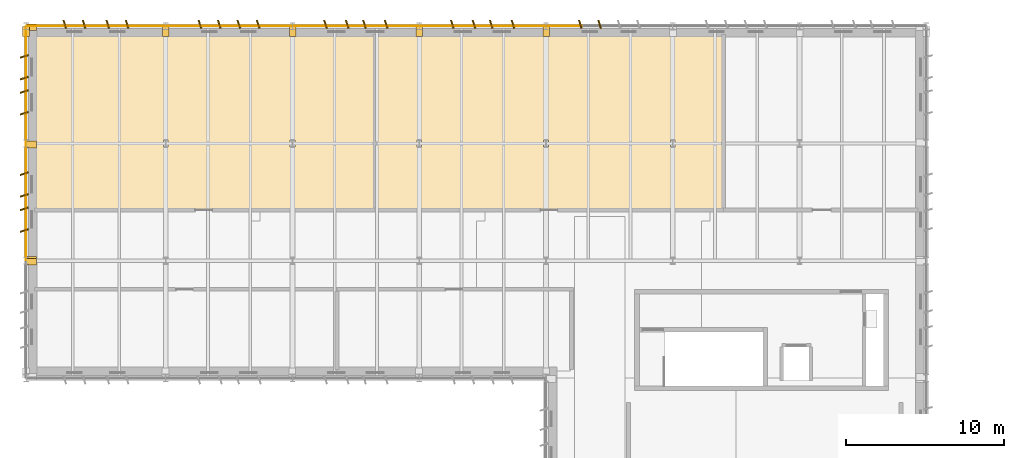
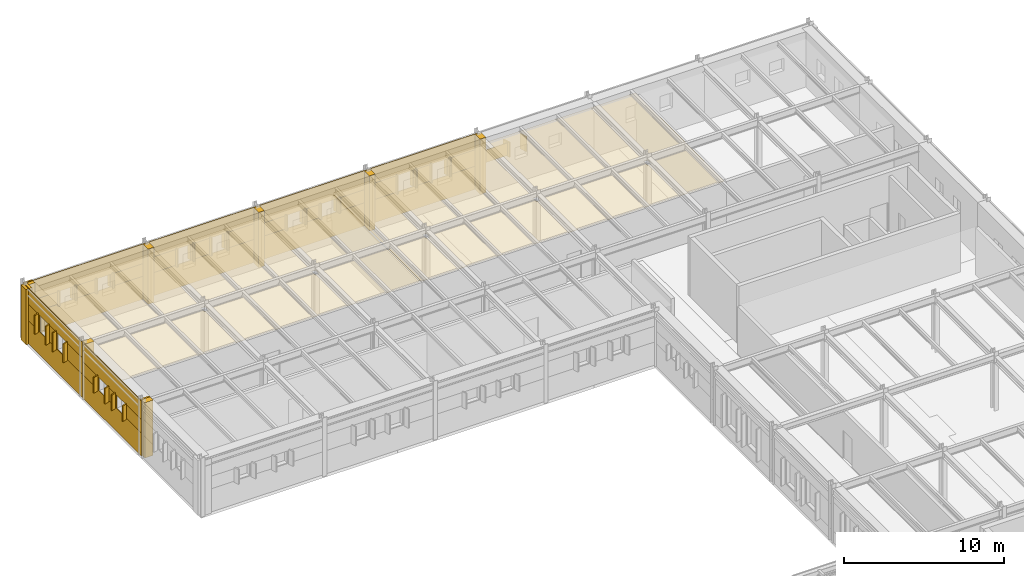
# One storey, part 64 of 75: 68 coverings.
"""IFC4 building model written with IfcOpenShell, lengths in metres."""

from ifc_helpers import new_model, si_unit, direction, frame, frame_2d, origin, origin_2d, place, context, subcontext, project, spatial, polyline, rectangle, outline, extrude, material, layer, layer_set, type_object, element, save


model = new_model("IFC4")

# Units and contexts
model_context = context("Model", 3, precision=1e-05, world=origin(), true_north=direction((0.0, 1.0)))
body_context = subcontext(model_context, "Body", "Model", "MODEL_VIEW")
ifc_project = project(units=[si_unit("LENGTHUNIT", "METRE"), si_unit("AREAUNIT", "SQUARE_METRE"), si_unit("VOLUMEUNIT", "CUBIC_METRE"), si_unit("PLANEANGLEUNIT", "RADIAN"), si_unit("MASSUNIT", "GRAM", prefix="KILO")], contexts=[model_context])

# Site, building, storey
site_placement = place(None, origin())
site = spatial("IfcSite", under=ifc_project, at=site_placement, CompositionType="ELEMENT")
building_placement = place(site_placement, origin())
building = spatial("IfcBuilding", under=site, at=building_placement, Name="Valkorina Park Police Headquarters", CompositionType="ELEMENT")
storey_placement = place(building_placement, frame((0.0, 0.0, 5.39990234375)))
storey = spatial("IfcBuildingStorey", under=building, at=storey_placement, Name="L02", CompositionType="ELEMENT", Elevation=5.39990234375)

# Coverings
ifc_material_1 = material(Name="Acoustic mineral board")
ifc_layer_1 = layer(ifc_material_1, 0.02490234375)
ifc_layer_set_1 = layer_set([ifc_layer_1], Name="Acoustic mineral board")
covering_type_1 = type_object("IfcCoveringType", Name="COV-CEILING-ACOUST", PredefinedType="CEILING", material=ifc_layer_set_1)
covering_1_placement = place(storey_placement, frame((0.0, 0.0, 3.64501953125)))
element("IfcCovering", 1, at=covering_1_placement, inside=storey, type_object=covering_type_1, Name="Detention Cell Block A (Adult Male) Acoustic Suspended Ceiling", PredefinedType="CEILING", context=body_context, shape_type="SweptSolid", body=[
    extrude(outline(polyline([(21.95849609375, 99.50439453125), (21.959716796875, 99.51220703125), (21.9599609375, 99.52001953125), (21.9599609375, 110.47998046875), (21.959716796875, 110.48779296875), (21.95849609375, 110.49560546875), (21.95654296875, 110.503173828125), (21.953857421875, 110.510498046875), (21.95068359375, 110.517578125), (21.946533203125, 110.5244140625), (21.94189453125, 110.53076171875), (21.9365234375, 110.53662109375), (21.930908203125, 110.541748046875), (21.92431640625, 110.54638671875), (21.917724609375, 110.550537109375), (21.91064453125, 110.553955078125), (21.9033203125, 110.556640625), (21.8955078125, 110.55859375), (21.8876953125, 110.5595703125), (21.8798828125, 110.56005859375), (0.52001953125, 110.56005859375), (0.51220703125, 110.5595703125), (0.50439453125, 110.55859375), (0.496826171875, 110.556640625), (0.489501953125, 110.553955078125), (0.482421875, 110.550537109375), (0.4755859375, 110.54638671875), (0.46923828125, 110.541748046875), (0.46337890625, 110.53662109375), (0.458251953125, 110.53076171875), (0.45361328125, 110.5244140625), (0.449462890625, 110.517578125), (0.446044921875, 110.510498046875), (0.443359375, 110.503173828125), (0.44140625, 110.49560546875), (0.4404296875, 110.48779296875), (0.43994140625, 110.47998046875), (0.43994140625, 99.52001953125), (0.4404296875, 99.51220703125), (0.44140625, 99.50439453125), (0.443359375, 99.496826171875), (0.446044921875, 99.489501953125), (0.449462890625, 99.482421875), (0.45361328125, 99.4755859375), (0.458251953125, 99.46923828125), (0.46337890625, 99.46337890625), (0.46923828125, 99.458251953125), (0.4755859375, 99.45361328125), (0.482421875, 99.449462890625), (0.489501953125, 99.446044921875), (0.496826171875, 99.443359375), (0.50439453125, 99.44140625), (0.51220703125, 99.4404296875), (0.52001953125, 99.43994140625), (21.8798828125, 99.43994140625), (21.8876953125, 99.4404296875), (21.8955078125, 99.44140625), (21.9033203125, 99.443359375), (21.91064453125, 99.446044921875), (21.917724609375, 99.449462890625), (21.92431640625, 99.45361328125), (21.930908203125, 99.458251953125), (21.9365234375, 99.46337890625), (21.94189453125, 99.46923828125), (21.946533203125, 99.4755859375), (21.95068359375, 99.482421875), (21.953857421875, 99.489501953125), (21.95654296875, 99.496826171875), (21.95849609375, 99.50439453125)]), holes=[polyline([(16.949951171875, 103.375), (16.64990234375, 103.375), (16.64990234375, 103.824951171875), (16.949951171875, 103.824951171875), (16.949951171875, 103.375)]), polyline([(8.949951171875, 103.375), (8.64990234375, 103.375), (8.64990234375, 103.824951171875), (8.949951171875, 103.824951171875), (8.949951171875, 103.375)])]), origin(), (0.0, 0.0, 1.0), 0.025146484375),
])
covering_2_placement = place(storey_placement, frame((0.0, 0.0, 3.64501953125)))
element("IfcCovering", 2, at=covering_2_placement, inside=storey, type_object=covering_type_1, Name="Detention Cell Block B (Adult Female) Acoustic Suspended Ceiling", PredefinedType="CEILING", context=body_context, shape_type="SweptSolid", body=[
    extrude(outline(polyline([(43.95849609375, 99.50439453125), (43.959716796875, 99.51220703125), (43.9599609375, 99.52001953125), (43.9599609375, 110.47998046875), (43.959716796875, 110.48779296875), (43.95849609375, 110.49560546875), (43.95654296875, 110.503173828125), (43.953857421875, 110.510498046875), (43.95068359375, 110.517578125), (43.946533203125, 110.5244140625), (43.94189453125, 110.53076171875), (43.9365234375, 110.53662109375), (43.930908203125, 110.541748046875), (43.92431640625, 110.54638671875), (43.917724609375, 110.550537109375), (43.91064453125, 110.553955078125), (43.9033203125, 110.556640625), (43.8955078125, 110.55859375), (43.8876953125, 110.5595703125), (43.8798828125, 110.56005859375), (22.1201171875, 110.56005859375), (22.1123046875, 110.5595703125), (22.1044921875, 110.55859375), (22.0966796875, 110.556640625), (22.08935546875, 110.553955078125), (22.082275390625, 110.550537109375), (22.07568359375, 110.54638671875), (22.069091796875, 110.541748046875), (22.0634765625, 110.53662109375), (22.05810546875, 110.53076171875), (22.053466796875, 110.5244140625), (22.04931640625, 110.517578125), (22.046142578125, 110.510498046875), (22.04345703125, 110.503173828125), (22.04150390625, 110.49560546875), (22.040283203125, 110.48779296875), (22.0400390625, 110.47998046875), (22.0400390625, 99.52001953125), (22.040283203125, 99.51220703125), (22.04150390625, 99.50439453125), (22.04345703125, 99.496826171875), (22.046142578125, 99.489501953125), (22.04931640625, 99.482421875), (22.053466796875, 99.4755859375), (22.05810546875, 99.46923828125), (22.0634765625, 99.46337890625), (22.069091796875, 99.458251953125), (22.07568359375, 99.45361328125), (22.082275390625, 99.449462890625), (22.08935546875, 99.446044921875), (22.0966796875, 99.443359375), (22.1044921875, 99.44140625), (22.1123046875, 99.4404296875), (22.1201171875, 99.43994140625), (43.8798828125, 99.43994140625), (43.8876953125, 99.4404296875), (43.8955078125, 99.44140625), (43.9033203125, 99.443359375), (43.91064453125, 99.446044921875), (43.917724609375, 99.449462890625), (43.92431640625, 99.45361328125), (43.930908203125, 99.458251953125), (43.9365234375, 99.46337890625), (43.94189453125, 99.46923828125), (43.946533203125, 99.4755859375), (43.95068359375, 99.482421875), (43.953857421875, 99.489501953125), (43.95654296875, 99.496826171875), (43.95849609375, 99.50439453125)]), holes=[polyline([(40.949951171875, 103.824951171875), (40.949951171875, 103.375), (40.64990234375, 103.375), (40.64990234375, 103.824951171875), (40.949951171875, 103.824951171875)]), polyline([(32.949951171875, 103.375), (32.64990234375, 103.375), (32.64990234375, 103.824951171875), (32.949951171875, 103.824951171875), (32.949951171875, 103.375)]), polyline([(24.949951171875, 103.375), (24.64990234375, 103.375), (24.64990234375, 103.824951171875), (24.949951171875, 103.824951171875), (24.949951171875, 103.375)])]), origin(), (0.0, 0.0, 1.0), 0.025146484375),
])
ifc_material_2 = material(Name="Precast concrete C40/50", Category="concrete")
ifc_layer_2 = layer(ifc_material_2, 0.044921875)
ifc_layer_set_2 = layer_set([ifc_layer_2], Name="Precast concrete C40/50")
covering_type_2 = type_object("IfcCoveringType", Name="COV-CLAD-DOLOMITE", PredefinedType="CLADDING", material=ifc_layer_set_2)
for number, where, z_axis, x_axis, name in (
    (3, (0.340087890625, 96.135009765625, 0.0), (0.0, 0.0, 1.0), (0.0, 1.0, 0.0), "L02 Exterior Joint Closure Pilaster B 1096"),
    (4, (0.340087890625, 96.264892578125, 0.0), (0.0, 0.0, 1.0), (0.0, 1.0, 0.0), "L02 Exterior Joint Closure Pilaster A 1106"),
    (5, (0.340087890625, 103.534912109375, 0.0), (0.0, 0.0, 1.0), (0.0, 1.0, 0.0), "L02 Exterior Joint Closure Pilaster B 1107"),
):
    element("IfcCovering", number, at=place(storey_placement, frame(where, z_axis=z_axis, x_axis=x_axis)), inside=storey, type_object=covering_type_2, Name=name, PredefinedType="CLADDING", context=body_context, shape_type="SweptSolid", body=[
        extrude(rectangle(XDim=0.419921875, YDim=0.612060546875, at=origin_2d()), origin(), (0.0, 0.0, 1.0), 4.219970703125),
    ])
for number, where, z_axis, x_axis, name in (
    (6, (-0.1201171875, 98.106201171875, 1.68017578125), (0.0, 0.0, 1.0), (-0.948323655206, -0.317304656405, 0.0), "Slanted 18.5-deg Precast Window Slot Fin 1108"),
    (7, (-0.1201171875, 99.476318359375, 1.68017578125), (0.0, 0.0, 1.0), (-0.948323655206, -0.317304656405, 0.0), "Slanted 18.5-deg Precast Window Slot Fin 1109"),
    (8, (-0.1201171875, 100.32373046875, 1.68017578125), (0.0, 0.0, 1.0), (-0.948323655206, -0.317304656405, 0.0), "Slanted 18.5-deg Precast Window Slot Fin 1110"),
    (9, (-0.1201171875, 101.69384765625, 1.68017578125), (0.0, 0.0, 1.0), (-0.948323655206, -0.317304656405, 0.0), "Slanted 18.5-deg Precast Window Slot Fin 1111"),
):
    element("IfcCovering", number, at=place(storey_placement, frame(where, z_axis=z_axis, x_axis=x_axis)), inside=storey, type_object=covering_type_2, Name=name, PredefinedType="CLADDING", context=body_context, shape_type="SweptSolid", body=[
        extrude(rectangle(XDim=0.5400390625, YDim=0.090087890625, at=origin_2d()), origin(), (0.0, 0.0, 1.0), 1.18994140625),
    ])
covering_3_placement = place(storey_placement, frame((-0.014892578125, 96.219970703125, 0.0), z_axis=(0.0, 0.0, 1.0), x_axis=(0.0, 1.0, 0.0)))
element("IfcCovering", 10, at=covering_3_placement, inside=storey, type_object=covering_type_2, Name="L02 Calm Concrete Base Sill Spandrel 1112", PredefinedType="CLADDING", context=body_context, shape_type="SweptSolid", body=[
    extrude(rectangle(XDim=7.360107421875, YDim=0.044921875, at=frame_2d((3.68017578125, 0.0))), origin(), (0.0, 0.0, 1.0), 1.77001953125),
])
covering_4_placement = place(storey_placement, frame((-0.014892578125, 96.219970703125, 2.780029296875), z_axis=(0.0, 0.0, 1.0), x_axis=(0.0, 1.0, 0.0)))
element("IfcCovering", 11, at=covering_4_placement, inside=storey, type_object=covering_type_2, Name="L02 Calm Concrete Base Lintel Spandrel 1113", PredefinedType="CLADDING", context=body_context, shape_type="SweptSolid", body=[
    extrude(rectangle(XDim=7.360107421875, YDim=0.044921875, at=frame_2d((3.68017578125, 0.0))), origin(), (0.0, 0.0, 1.0), 1.440185546875),
])
covering_5_placement = place(storey_placement, frame((-0.014892578125, 96.219970703125, 1.77001953125), z_axis=(0.0, 0.0, 1.0), x_axis=(0.0, 1.0, 0.0)))
element("IfcCovering", 12, at=covering_5_placement, inside=storey, type_object=covering_type_2, Name="L02 Calm Concrete Base Slot Pier 1114", PredefinedType="CLADDING", context=body_context, shape_type="SweptSolid", body=[
    extrude(rectangle(XDim=1.996337890625, YDim=0.044921875, at=frame_2d((0.998046875, 0.0))), origin(), (0.0, 0.0, 1.0), 1.010009765625),
])
covering_6_placement = place(storey_placement, frame((-0.014892578125, 99.3662109375, 1.77001953125), z_axis=(0.0, 0.0, 1.0), x_axis=(0.0, 1.0, 0.0)))
element("IfcCovering", 13, at=covering_6_placement, inside=storey, type_object=covering_type_2, Name="L02 Calm Concrete Base Slot Pier 1115", PredefinedType="CLADDING", context=body_context, shape_type="SweptSolid", body=[
    extrude(rectangle(XDim=1.067626953125, YDim=0.044921875, at=frame_2d((0.53369140625, 0.0))), origin(), (0.0, 0.0, 1.0), 1.010009765625),
])
covering_7_placement = place(storey_placement, frame((-0.014892578125, 101.583740234375, 1.77001953125), z_axis=(0.0, 0.0, 1.0), x_axis=(0.0, 1.0, 0.0)))
element("IfcCovering", 14, at=covering_7_placement, inside=storey, type_object=covering_type_2, Name="L02 Calm Concrete Base Slot Pier 1116", PredefinedType="CLADDING", context=body_context, shape_type="SweptSolid", body=[
    extrude(rectangle(XDim=1.996337890625, YDim=0.044921875, at=frame_2d((0.998046875, 0.0))), origin(), (0.0, 0.0, 1.0), 1.010009765625),
])
covering_8_placement = place(storey_placement, frame((0.340087890625, 110.93505859375, 0.0), z_axis=(0.0, 0.0, 1.0), x_axis=(0.0, 1.0, 0.0)))
element("IfcCovering", 15, at=covering_8_placement, inside=storey, type_object=covering_type_2, Name="L02 Exterior Joint Closure Pilaster B 1117", PredefinedType="CLADDING", context=body_context, shape_type="SweptSolid", body=[
    extrude(rectangle(XDim=0.419921875, YDim=0.612060546875, at=origin_2d()), origin(), (0.0, 0.0, 1.0), 4.219970703125),
])
for number, where, z_axis, x_axis, name in (
    (16, (-0.1201171875, 105.506103515625, 1.68017578125), (0.0, 0.0, 1.0), (-0.948323655206, -0.317304656405, 0.0), "Slanted 18.5-deg Precast Window Slot Fin 1118"),
    (17, (-0.1201171875, 106.876220703125, 1.68017578125), (0.0, 0.0, 1.0), (-0.948323655206, -0.317304656405, 0.0), "Slanted 18.5-deg Precast Window Slot Fin 1119"),
    (18, (-0.1201171875, 107.723876953125, 1.68017578125), (0.0, 0.0, 1.0), (-0.948323655206, -0.317304656405, 0.0), "Slanted 18.5-deg Precast Window Slot Fin 1120"),
    (19, (-0.1201171875, 109.09375, 1.68017578125), (0.0, 0.0, 1.0), (-0.948323655206, -0.317304656405, 0.0), "Slanted 18.5-deg Precast Window Slot Fin 1121"),
):
    element("IfcCovering", number, at=place(storey_placement, frame(where, z_axis=z_axis, x_axis=x_axis)), inside=storey, type_object=covering_type_2, Name=name, PredefinedType="CLADDING", context=body_context, shape_type="SweptSolid", body=[
        extrude(rectangle(XDim=0.5400390625, YDim=0.090087890625, at=origin_2d()), origin(), (0.0, 0.0, 1.0), 1.43994140625),
    ])
covering_9_placement = place(storey_placement, frame((-0.014892578125, 103.6201171875, 0.0), z_axis=(0.0, 0.0, 1.0), x_axis=(0.0, 1.0, 0.0)))
element("IfcCovering", 20, at=covering_9_placement, inside=storey, type_object=covering_type_2, Name="L02 Calm Concrete Base Sill Spandrel 1122", PredefinedType="CLADDING", context=body_context, shape_type="SweptSolid", body=[
    extrude(rectangle(XDim=7.35986328125, YDim=0.044921875, at=frame_2d((3.679931640625, 0.0))), origin(), (0.0, 0.0, 1.0), 1.77001953125),
])
covering_10_placement = place(storey_placement, frame((-0.014892578125, 103.6201171875, 3.030029296875), z_axis=(0.0, 0.0, 1.0), x_axis=(0.0, 1.0, 0.0)))
element("IfcCovering", 21, at=covering_10_placement, inside=storey, type_object=covering_type_2, Name="L02 Calm Concrete Base Lintel Spandrel 1123", PredefinedType="CLADDING", context=body_context, shape_type="SweptSolid", body=[
    extrude(rectangle(XDim=7.35986328125, YDim=0.044921875, at=frame_2d((3.679931640625, 0.0))), origin(), (0.0, 0.0, 1.0), 1.190185546875),
])
covering_11_placement = place(storey_placement, frame((-0.014892578125, 103.6201171875, 1.77001953125), z_axis=(0.0, 0.0, 1.0), x_axis=(0.0, 1.0, 0.0)))
element("IfcCovering", 22, at=covering_11_placement, inside=storey, type_object=covering_type_2, Name="L02 Calm Concrete Base Slot Pier 1124", PredefinedType="CLADDING", context=body_context, shape_type="SweptSolid", body=[
    extrude(rectangle(XDim=1.99609375, YDim=0.044921875, at=frame_2d((0.998046875, 0.0))), origin(), (0.0, 0.0, 1.0), 1.260009765625),
])
covering_12_placement = place(storey_placement, frame((-0.014892578125, 106.76611328125, 1.77001953125), z_axis=(0.0, 0.0, 1.0), x_axis=(0.0, 1.0, 0.0)))
element("IfcCovering", 23, at=covering_12_placement, inside=storey, type_object=covering_type_2, Name="L02 Calm Concrete Base Slot Pier 1125", PredefinedType="CLADDING", context=body_context, shape_type="SweptSolid", body=[
    extrude(rectangle(XDim=1.067626953125, YDim=0.044921875, at=frame_2d((0.53369140625, 0.0))), origin(), (0.0, 0.0, 1.0), 1.260009765625),
])
covering_13_placement = place(storey_placement, frame((-0.014892578125, 108.98388671875, 1.77001953125), z_axis=(0.0, 0.0, 1.0), x_axis=(0.0, 1.0, 0.0)))
element("IfcCovering", 24, at=covering_13_placement, inside=storey, type_object=covering_type_2, Name="L02 Calm Concrete Base Slot Pier 1126", PredefinedType="CLADDING", context=body_context, shape_type="SweptSolid", body=[
    extrude(rectangle(XDim=1.99609375, YDim=0.044921875, at=frame_2d((0.998046875, 0.0))), origin(), (0.0, 0.0, 1.0), 1.260009765625),
])
for number, where, z_axis, x_axis, name in (
    (25, (-0.010009765625, 110.659912109375, 0.0), (0.0, 0.0, 1.0), (1.0, 0.0, 0.0), "L02 Exterior Joint Closure Pilaster A 1127"),
    (26, (8.81005859375, 110.659912109375, 0.0), (0.0, 0.0, 1.0), (1.0, 0.0, 0.0), "L02 Exterior Joint Closure Pilaster B 1128"),
):
    element("IfcCovering", number, at=place(storey_placement, frame(where, z_axis=z_axis, x_axis=x_axis)), inside=storey, type_object=covering_type_2, Name=name, PredefinedType="CLADDING", context=body_context, shape_type="SweptSolid", body=[
        extrude(rectangle(XDim=0.419921875, YDim=0.612060546875, at=origin_2d()), origin(), (0.0, 0.0, 1.0), 4.219970703125),
    ])
for number, where, z_axis, x_axis, name in (
    (27, (2.43310546875, 111.1201171875, 1.68017578125), (0.0, 0.0, 1.0), (-0.317304656405, 0.948323655206, 0.0), "Slanted 18.5-deg Precast Window Slot Fin 1129"),
    (28, (3.6533203125, 111.1201171875, 1.68017578125), (0.0, 0.0, 1.0), (-0.317304656405, 0.948323655206, 0.0), "Slanted 18.5-deg Precast Window Slot Fin 1130"),
    (29, (5.146728515625, 111.1201171875, 1.68017578125), (0.0, 0.0, 1.0), (-0.317304656405, 0.948323655206, 0.0), "Slanted 18.5-deg Precast Window Slot Fin 1131"),
    (30, (6.36669921875, 111.1201171875, 1.68017578125), (0.0, 0.0, 1.0), (-0.317304656405, 0.948323655206, 0.0), "Slanted 18.5-deg Precast Window Slot Fin 1132"),
):
    element("IfcCovering", number, at=place(storey_placement, frame(where, z_axis=z_axis, x_axis=x_axis)), inside=storey, type_object=covering_type_2, Name=name, PredefinedType="CLADDING", context=body_context, shape_type="SweptSolid", body=[
        extrude(rectangle(XDim=0.5400390625, YDim=0.090087890625, at=origin_2d()), origin(), (0.0, 0.0, 1.0), 1.139892578125),
    ])
covering_14_placement = place(storey_placement, frame((0.02001953125, 111.014892578125, 0.0), z_axis=(0.0, 0.0, 1.0), x_axis=(1.0, 0.0, 0.0)))
element("IfcCovering", 31, at=covering_14_placement, inside=storey, type_object=covering_type_2, Name="L02 Calm Concrete Base Sill Spandrel 1133", PredefinedType="CLADDING", context=body_context, shape_type="SweptSolid", body=[
    extrude(rectangle(XDim=8.760009765625, YDim=0.044921875, at=frame_2d((4.3798828125, 0.0))), origin(), (0.0, 0.0, 1.0), 1.77001953125),
])
covering_15_placement = place(storey_placement, frame((0.02001953125, 111.014892578125, 2.72998046875), z_axis=(0.0, 0.0, 1.0), x_axis=(1.0, 0.0, 0.0)))
element("IfcCovering", 32, at=covering_15_placement, inside=storey, type_object=covering_type_2, Name="L02 Calm Concrete Base Lintel Spandrel 1134", PredefinedType="CLADDING", context=body_context, shape_type="SweptSolid", body=[
    extrude(rectangle(XDim=8.760009765625, YDim=0.044921875, at=frame_2d((4.3798828125, 0.0))), origin(), (0.0, 0.0, 1.0), 1.490234375),
])
covering_16_placement = place(storey_placement, frame((0.02001953125, 111.014892578125, 1.77001953125), z_axis=(0.0, 0.0, 1.0), x_axis=(1.0, 0.0, 0.0)))
element("IfcCovering", 33, at=covering_16_placement, inside=storey, type_object=covering_type_2, Name="L02 Calm Concrete Base Slot Pier 1135", PredefinedType="CLADDING", context=body_context, shape_type="SweptSolid", body=[
    extrude(rectangle(XDim=2.523193359375, YDim=0.044921875, at=frame_2d((1.26171875, 0.0))), origin(), (0.0, 0.0, 1.0), 0.9599609375),
])
covering_17_placement = place(storey_placement, frame((3.543212890625, 111.014892578125, 1.77001953125), z_axis=(0.0, 0.0, 1.0), x_axis=(1.0, 0.0, 0.0)))
element("IfcCovering", 34, at=covering_17_placement, inside=storey, type_object=covering_type_2, Name="L02 Calm Concrete Base Slot Pier 1136", PredefinedType="CLADDING", context=body_context, shape_type="SweptSolid", body=[
    extrude(rectangle(XDim=1.713623046875, YDim=0.044921875, at=frame_2d((0.85693359375, 0.0))), origin(), (0.0, 0.0, 1.0), 0.9599609375),
])
covering_18_placement = place(storey_placement, frame((6.2568359375, 111.014892578125, 1.77001953125), z_axis=(0.0, 0.0, 1.0), x_axis=(1.0, 0.0, 0.0)))
element("IfcCovering", 35, at=covering_18_placement, inside=storey, type_object=covering_type_2, Name="L02 Calm Concrete Base Slot Pier 1137", PredefinedType="CLADDING", context=body_context, shape_type="SweptSolid", body=[
    extrude(rectangle(XDim=2.523193359375, YDim=0.044921875, at=frame_2d((1.26171875, 0.0))), origin(), (0.0, 0.0, 1.0), 0.9599609375),
])
covering_19_placement = place(storey_placement, frame((16.81005859375, 110.659912109375, 0.0), z_axis=(0.0, 0.0, 1.0), x_axis=(1.0, 0.0, 0.0)))
element("IfcCovering", 36, at=covering_19_placement, inside=storey, type_object=covering_type_2, Name="L02 Exterior Joint Closure Pilaster B 1138", PredefinedType="CLADDING", context=body_context, shape_type="SweptSolid", body=[
    extrude(rectangle(XDim=0.419921875, YDim=0.612060546875, at=origin_2d()), origin(), (0.0, 0.0, 1.0), 4.219970703125),
])
for number, where, z_axis, x_axis, name in (
    (37, (10.961181640625, 111.1201171875, 1.68017578125), (0.0, 0.0, 1.0), (-0.317304656405, 0.948323655206, 0.0), "Slanted 18.5-deg Precast Window Slot Fin 1139"),
    (38, (12.18115234375, 111.1201171875, 1.68017578125), (0.0, 0.0, 1.0), (-0.317304656405, 0.948323655206, 0.0), "Slanted 18.5-deg Precast Window Slot Fin 1140"),
    (39, (13.418701171875, 111.1201171875, 1.68017578125), (0.0, 0.0, 1.0), (-0.317304656405, 0.948323655206, 0.0), "Slanted 18.5-deg Precast Window Slot Fin 1141"),
    (40, (14.638916015625, 111.1201171875, 1.68017578125), (0.0, 0.0, 1.0), (-0.317304656405, 0.948323655206, 0.0), "Slanted 18.5-deg Precast Window Slot Fin 1142"),
):
    element("IfcCovering", number, at=place(storey_placement, frame(where, z_axis=z_axis, x_axis=x_axis)), inside=storey, type_object=covering_type_2, Name=name, PredefinedType="CLADDING", context=body_context, shape_type="SweptSolid", body=[
        extrude(rectangle(XDim=0.5400390625, YDim=0.090087890625, at=origin_2d()), origin(), (0.0, 0.0, 1.0), 1.389892578125),
    ])
covering_20_placement = place(storey_placement, frame((8.820068359375, 111.014892578125, 0.0), z_axis=(0.0, 0.0, 1.0), x_axis=(1.0, 0.0, 0.0)))
element("IfcCovering", 41, at=covering_20_placement, inside=storey, type_object=covering_type_2, Name="L02 Calm Concrete Base Sill Spandrel 1143", PredefinedType="CLADDING", context=body_context, shape_type="SweptSolid", body=[
    extrude(rectangle(XDim=7.9599609375, YDim=0.044921875, at=frame_2d((3.97998046875, 0.0))), origin(), (0.0, 0.0, 1.0), 1.77001953125),
])
covering_21_placement = place(storey_placement, frame((8.820068359375, 111.014892578125, 2.97998046875), z_axis=(0.0, 0.0, 1.0), x_axis=(1.0, 0.0, 0.0)))
element("IfcCovering", 42, at=covering_21_placement, inside=storey, type_object=covering_type_2, Name="L02 Calm Concrete Base Lintel Spandrel 1144", PredefinedType="CLADDING", context=body_context, shape_type="SweptSolid", body=[
    extrude(rectangle(XDim=7.9599609375, YDim=0.044921875, at=frame_2d((3.97998046875, 0.0))), origin(), (0.0, 0.0, 1.0), 1.240234375),
])
covering_22_placement = place(storey_placement, frame((8.820068359375, 111.014892578125, 1.77001953125), z_axis=(0.0, 0.0, 1.0), x_axis=(1.0, 0.0, 0.0)))
element("IfcCovering", 43, at=covering_22_placement, inside=storey, type_object=covering_type_2, Name="L02 Calm Concrete Base Slot Pier 1145", PredefinedType="CLADDING", context=body_context, shape_type="SweptSolid", body=[
    extrude(rectangle(XDim=2.251220703125, YDim=0.044921875, at=frame_2d((1.12548828125, 0.0))), origin(), (0.0, 0.0, 1.0), 1.2099609375),
])
covering_23_placement = place(storey_placement, frame((12.0712890625, 111.014892578125, 1.77001953125), z_axis=(0.0, 0.0, 1.0), x_axis=(1.0, 0.0, 0.0)))
element("IfcCovering", 44, at=covering_23_placement, inside=storey, type_object=covering_type_2, Name="L02 Calm Concrete Base Slot Pier 1146", PredefinedType="CLADDING", context=body_context, shape_type="SweptSolid", body=[
    extrude(rectangle(XDim=1.45751953125, YDim=0.044921875, at=frame_2d((0.728759765625, 0.0))), origin(), (0.0, 0.0, 1.0), 1.2099609375),
])
covering_24_placement = place(storey_placement, frame((14.52880859375, 111.014892578125, 1.77001953125), z_axis=(0.0, 0.0, 1.0), x_axis=(1.0, 0.0, 0.0)))
element("IfcCovering", 45, at=covering_24_placement, inside=storey, type_object=covering_type_2, Name="L02 Calm Concrete Base Slot Pier 1147", PredefinedType="CLADDING", context=body_context, shape_type="SweptSolid", body=[
    extrude(rectangle(XDim=2.251220703125, YDim=0.044921875, at=frame_2d((1.12548828125, 0.0))), origin(), (0.0, 0.0, 1.0), 1.2099609375),
])
covering_25_placement = place(storey_placement, frame((24.81005859375, 110.659912109375, 0.0), z_axis=(0.0, 0.0, 1.0), x_axis=(1.0, 0.0, 0.0)))
element("IfcCovering", 46, at=covering_25_placement, inside=storey, type_object=covering_type_2, Name="L02 Exterior Joint Closure Pilaster B 1148", PredefinedType="CLADDING", context=body_context, shape_type="SweptSolid", body=[
    extrude(rectangle(XDim=0.419921875, YDim=0.612060546875, at=origin_2d()), origin(), (0.0, 0.0, 1.0), 4.219970703125),
])
for number, where, z_axis, x_axis, name in (
    (47, (18.88623046875, 111.1201171875, 1.68017578125), (0.0, 0.0, 1.0), (-0.317304656405, 0.948323655206, 0.0), "Slanted 18.5-deg Precast Window Slot Fin 1149"),
    (48, (20.256103515625, 111.1201171875, 1.68017578125), (0.0, 0.0, 1.0), (-0.317304656405, 0.948323655206, 0.0), "Slanted 18.5-deg Precast Window Slot Fin 1150"),
    (49, (21.34375, 111.1201171875, 1.68017578125), (0.0, 0.0, 1.0), (-0.317304656405, 0.948323655206, 0.0), "Slanted 18.5-deg Precast Window Slot Fin 1151"),
    (50, (22.7138671875, 111.1201171875, 1.68017578125), (0.0, 0.0, 1.0), (-0.317304656405, 0.948323655206, 0.0), "Slanted 18.5-deg Precast Window Slot Fin 1152"),
):
    element("IfcCovering", number, at=place(storey_placement, frame(where, z_axis=z_axis, x_axis=x_axis)), inside=storey, type_object=covering_type_2, Name=name, PredefinedType="CLADDING", context=body_context, shape_type="SweptSolid", body=[
        extrude(rectangle(XDim=0.5400390625, YDim=0.090087890625, at=origin_2d()), origin(), (0.0, 0.0, 1.0), 1.18994140625),
    ])
covering_26_placement = place(storey_placement, frame((16.820068359375, 111.014892578125, 0.0), z_axis=(0.0, 0.0, 1.0), x_axis=(1.0, 0.0, 0.0)))
element("IfcCovering", 51, at=covering_26_placement, inside=storey, type_object=covering_type_2, Name="L02 Calm Concrete Base Sill Spandrel 1153", PredefinedType="CLADDING", context=body_context, shape_type="SweptSolid", body=[
    extrude(rectangle(XDim=7.9599609375, YDim=0.044921875, at=frame_2d((3.97998046875, 0.0))), origin(), (0.0, 0.0, 1.0), 1.77001953125),
])
covering_27_placement = place(storey_placement, frame((16.820068359375, 111.014892578125, 2.780029296875), z_axis=(0.0, 0.0, 1.0), x_axis=(1.0, 0.0, 0.0)))
element("IfcCovering", 52, at=covering_27_placement, inside=storey, type_object=covering_type_2, Name="L02 Calm Concrete Base Lintel Spandrel 1154", PredefinedType="CLADDING", context=body_context, shape_type="SweptSolid", body=[
    extrude(rectangle(XDim=7.9599609375, YDim=0.044921875, at=frame_2d((3.97998046875, 0.0))), origin(), (0.0, 0.0, 1.0), 1.440185546875),
])
covering_28_placement = place(storey_placement, frame((16.820068359375, 111.014892578125, 1.77001953125), z_axis=(0.0, 0.0, 1.0), x_axis=(1.0, 0.0, 0.0)))
element("IfcCovering", 53, at=covering_28_placement, inside=storey, type_object=covering_type_2, Name="L02 Calm Concrete Base Slot Pier 1155", PredefinedType="CLADDING", context=body_context, shape_type="SweptSolid", body=[
    extrude(rectangle(XDim=2.176025390625, YDim=0.044921875, at=frame_2d((1.087890625, 0.0))), origin(), (0.0, 0.0, 1.0), 1.010009765625),
])
covering_29_placement = place(storey_placement, frame((20.146240234375, 111.014892578125, 1.77001953125), z_axis=(0.0, 0.0, 1.0), x_axis=(1.0, 0.0, 0.0)))
element("IfcCovering", 54, at=covering_29_placement, inside=storey, type_object=covering_type_2, Name="L02 Calm Concrete Base Slot Pier 1156", PredefinedType="CLADDING", context=body_context, shape_type="SweptSolid", body=[
    extrude(rectangle(XDim=1.3076171875, YDim=0.044921875, at=frame_2d((0.65380859375, 0.0))), origin(), (0.0, 0.0, 1.0), 1.010009765625),
])
covering_30_placement = place(storey_placement, frame((22.603759765625, 111.014892578125, 1.77001953125), z_axis=(0.0, 0.0, 1.0), x_axis=(1.0, 0.0, 0.0)))
element("IfcCovering", 55, at=covering_30_placement, inside=storey, type_object=covering_type_2, Name="L02 Calm Concrete Base Slot Pier 1157", PredefinedType="CLADDING", context=body_context, shape_type="SweptSolid", body=[
    extrude(rectangle(XDim=2.17626953125, YDim=0.044921875, at=frame_2d((1.088134765625, 0.0))), origin(), (0.0, 0.0, 1.0), 1.010009765625),
])
covering_31_placement = place(storey_placement, frame((32.81005859375, 110.659912109375, 0.0), z_axis=(0.0, 0.0, 1.0), x_axis=(1.0, 0.0, 0.0)))
element("IfcCovering", 56, at=covering_31_placement, inside=storey, type_object=covering_type_2, Name="L02 Exterior Joint Closure Pilaster B 1158", PredefinedType="CLADDING", context=body_context, shape_type="SweptSolid", body=[
    extrude(rectangle(XDim=0.419921875, YDim=0.612060546875, at=origin_2d()), origin(), (0.0, 0.0, 1.0), 4.219970703125),
])
for number, where, z_axis, x_axis, name in (
    (57, (26.88623046875, 111.1201171875, 1.68017578125), (0.0, 0.0, 1.0), (-0.317304656405, 0.948323655206, 0.0), "Slanted 18.5-deg Precast Window Slot Fin 1159"),
    (58, (28.256103515625, 111.1201171875, 1.68017578125), (0.0, 0.0, 1.0), (-0.317304656405, 0.948323655206, 0.0), "Slanted 18.5-deg Precast Window Slot Fin 1160"),
    (59, (29.34375, 111.1201171875, 1.68017578125), (0.0, 0.0, 1.0), (-0.317304656405, 0.948323655206, 0.0), "Slanted 18.5-deg Precast Window Slot Fin 1161"),
    (60, (30.7138671875, 111.1201171875, 1.68017578125), (0.0, 0.0, 1.0), (-0.317304656405, 0.948323655206, 0.0), "Slanted 18.5-deg Precast Window Slot Fin 1162"),
):
    element("IfcCovering", number, at=place(storey_placement, frame(where, z_axis=z_axis, x_axis=x_axis)), inside=storey, type_object=covering_type_2, Name=name, PredefinedType="CLADDING", context=body_context, shape_type="SweptSolid", body=[
        extrude(rectangle(XDim=0.5400390625, YDim=0.090087890625, at=origin_2d()), origin(), (0.0, 0.0, 1.0), 1.43994140625),
    ])
covering_32_placement = place(storey_placement, frame((24.820068359375, 111.014892578125, 0.0), z_axis=(0.0, 0.0, 1.0), x_axis=(1.0, 0.0, 0.0)))
element("IfcCovering", 61, at=covering_32_placement, inside=storey, type_object=covering_type_2, Name="L02 Calm Concrete Base Sill Spandrel 1163", PredefinedType="CLADDING", context=body_context, shape_type="SweptSolid", body=[
    extrude(rectangle(XDim=7.9599609375, YDim=0.044921875, at=frame_2d((3.97998046875, 0.0))), origin(), (0.0, 0.0, 1.0), 1.77001953125),
])
covering_33_placement = place(storey_placement, frame((24.820068359375, 111.014892578125, 3.030029296875), z_axis=(0.0, 0.0, 1.0), x_axis=(1.0, 0.0, 0.0)))
element("IfcCovering", 62, at=covering_33_placement, inside=storey, type_object=covering_type_2, Name="L02 Calm Concrete Base Lintel Spandrel 1164", PredefinedType="CLADDING", context=body_context, shape_type="SweptSolid", body=[
    extrude(rectangle(XDim=7.9599609375, YDim=0.044921875, at=frame_2d((3.97998046875, 0.0))), origin(), (0.0, 0.0, 1.0), 1.190185546875),
])
covering_34_placement = place(storey_placement, frame((24.820068359375, 111.014892578125, 1.77001953125), z_axis=(0.0, 0.0, 1.0), x_axis=(1.0, 0.0, 0.0)))
element("IfcCovering", 63, at=covering_34_placement, inside=storey, type_object=covering_type_2, Name="L02 Calm Concrete Base Slot Pier 1165", PredefinedType="CLADDING", context=body_context, shape_type="SweptSolid", body=[
    extrude(rectangle(XDim=2.176025390625, YDim=0.044921875, at=frame_2d((1.087890625, 0.0))), origin(), (0.0, 0.0, 1.0), 1.260009765625),
])
covering_35_placement = place(storey_placement, frame((28.146240234375, 111.014892578125, 1.77001953125), z_axis=(0.0, 0.0, 1.0), x_axis=(1.0, 0.0, 0.0)))
element("IfcCovering", 64, at=covering_35_placement, inside=storey, type_object=covering_type_2, Name="L02 Calm Concrete Base Slot Pier 1166", PredefinedType="CLADDING", context=body_context, shape_type="SweptSolid", body=[
    extrude(rectangle(XDim=1.3076171875, YDim=0.044921875, at=frame_2d((0.65380859375, 0.0))), origin(), (0.0, 0.0, 1.0), 1.260009765625),
])
covering_36_placement = place(storey_placement, frame((30.603759765625, 111.014892578125, 1.77001953125), z_axis=(0.0, 0.0, 1.0), x_axis=(1.0, 0.0, 0.0)))
element("IfcCovering", 65, at=covering_36_placement, inside=storey, type_object=covering_type_2, Name="L02 Calm Concrete Base Slot Pier 1167", PredefinedType="CLADDING", context=body_context, shape_type="SweptSolid", body=[
    extrude(rectangle(XDim=2.17626953125, YDim=0.044921875, at=frame_2d((1.088134765625, 0.0))), origin(), (0.0, 0.0, 1.0), 1.260009765625),
])
for number, where, z_axis, x_axis, name in (
    (66, (34.961181640625, 111.1201171875, 1.68017578125), (0.0, 0.0, 1.0), (-0.317304656405, 0.948323655206, 0.0), "Slanted 18.5-deg Precast Window Slot Fin 1169"),
    (67, (36.18115234375, 111.1201171875, 1.68017578125), (0.0, 0.0, 1.0), (-0.317304656405, 0.948323655206, 0.0), "Slanted 18.5-deg Precast Window Slot Fin 1170"),
):
    element("IfcCovering", number, at=place(storey_placement, frame(where, z_axis=z_axis, x_axis=x_axis)), inside=storey, type_object=covering_type_2, Name=name, PredefinedType="CLADDING", context=body_context, shape_type="SweptSolid", body=[
        extrude(rectangle(XDim=0.5400390625, YDim=0.090087890625, at=origin_2d()), origin(), (0.0, 0.0, 1.0), 1.139892578125),
    ])
covering_37_placement = place(storey_placement, frame((32.820068359375, 111.014892578125, 1.77001953125), z_axis=(0.0, 0.0, 1.0), x_axis=(1.0, 0.0, 0.0)))
element("IfcCovering", 68, at=covering_37_placement, inside=storey, type_object=covering_type_2, Name="L02 Calm Concrete Base Slot Pier 1175", PredefinedType="CLADDING", context=body_context, shape_type="SweptSolid", body=[
    extrude(rectangle(XDim=2.251220703125, YDim=0.044921875, at=frame_2d((1.12548828125, 0.0))), origin(), (0.0, 0.0, 1.0), 0.9599609375),
])

save(model, "model.ifc")
